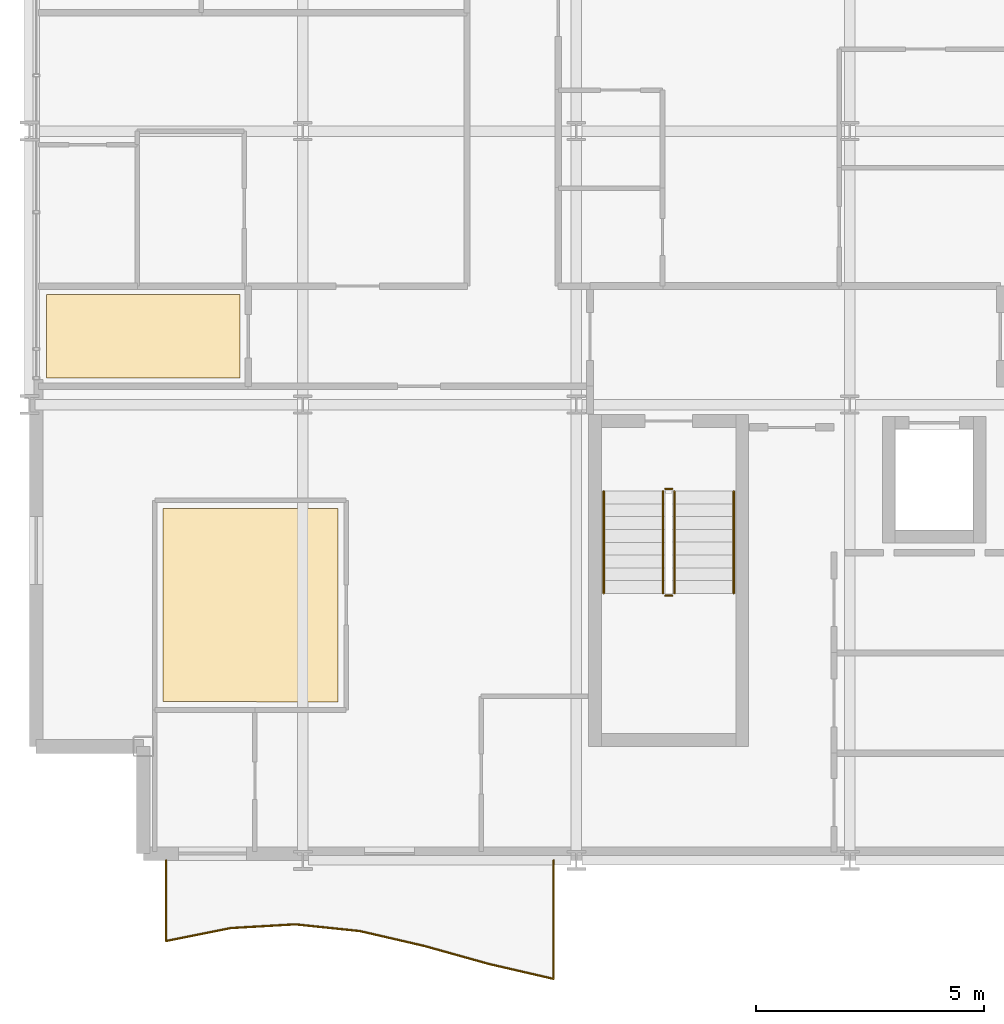
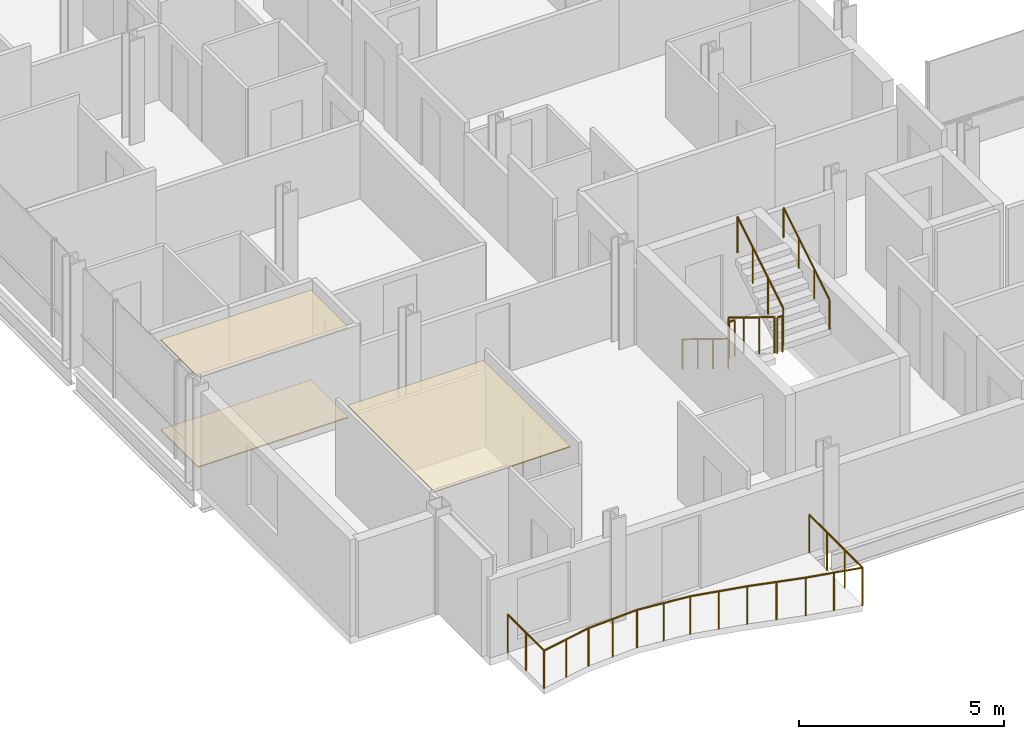
# One storey, part 38 of 41: 7 railings, 3 coverings.
"""IFC4 building model written with IfcOpenShell, lengths in metres."""

from ifc_helpers import new_model, si_unit, direction, frame, origin, origin_2d, place, context, subcontext, project, spatial, polyline, circle, outline, extrude, material, layer, layer_set, type_object, element, save


model = new_model("IFC4")

# Units and contexts
model_context = context("Model", 3, precision=1e-05, world=origin(), true_north=direction((0.0, 1.0)))
body_context = subcontext(model_context, "Body", "Model", "MODEL_VIEW")
ifc_project = project(units=[si_unit("LENGTHUNIT", "METRE"), si_unit("AREAUNIT", "SQUARE_METRE"), si_unit("VOLUMEUNIT", "CUBIC_METRE"), si_unit("PLANEANGLEUNIT", "RADIAN"), si_unit("MASSUNIT", "GRAM", prefix="KILO")], contexts=[model_context])

# Site, building, storey
site_placement = place(None, origin())
site = spatial("IfcSite", under=ifc_project, at=site_placement, CompositionType="ELEMENT")
building_placement = place(site_placement, origin())
building = spatial("IfcBuilding", under=site, at=building_placement, Name="Brevholm Reach", CompositionType="ELEMENT")
storey_placement = place(building_placement, frame((0.0, 0.0, 106.60009765625)))
storey = spatial("IfcBuildingStorey", under=building, at=storey_placement, Name="L31", CompositionType="ELEMENT", Elevation=106.60009765625)

# Coverings
ifc_material_1 = material(Name="Moisture-Resistant Skimmed Gypsum Plasterboard Ceiling", Category="gypsum")
ifc_layer_1 = layer(ifc_material_1, 0.030029296875)
ifc_layer_set_1 = layer_set([ifc_layer_1], Name="Moisture-Resistant Skimmed Gypsum Plasterboard Ceiling")
covering_type_1 = type_object("IfcCoveringType", Name="COV-CLG-GYP", PredefinedType="CEILING", material=ifc_layer_set_1)
covering_1_placement = place(storey_placement, frame((0.0, 0.0, 2.679931640625)))
element("IfcCovering", 1, at=covering_1_placement, inside=storey, type_object=covering_type_1, Name="L31 Suspended Ceiling L31-30", PredefinedType="CEILING", context=body_context, shape_type="SweptSolid", body=[
    extrude(outline(polyline([(2.929931640625, 7.719970703125), (6.77001953125, 7.719970703125), (6.77001953125, 3.47998046875), (4.984375, 3.47998046875), (4.982177734375, 3.48046875), (4.964599609375, 3.483154296875), (4.947021484375, 3.48388671875), (2.929931640625, 3.48388671875), (2.929931640625, 7.719970703125)])), origin(), (0.0, 0.0, 1.0), 0.030029296875),
])
covering_2_placement = place(storey_placement, frame((0.0, 0.0, 2.679931640625)))
element("IfcCovering", 2, at=covering_2_placement, inside=storey, type_object=covering_type_1, Name="L31 Suspended Ceiling L31-32", PredefinedType="CEILING", context=body_context, shape_type="SweptSolid", body=[
    extrude(outline(polyline([(0.3798828125, 12.419921875), (4.615966796875, 12.419921875), (4.615966796875, 10.583984375), (0.3798828125, 10.583984375), (0.3798828125, 12.419921875)])), origin(), (0.0, 0.0, 1.0), 0.030029296875),
])
ifc_material_2 = material(Name="Honed Portland-Aggregate Resin Terrazzo Flooring", Category="concrete")
ifc_layer_2 = layer(ifc_material_2, 0.031982421875)
ifc_layer_set_2 = layer_set([ifc_layer_2], Name="Honed Portland-Aggregate Resin Terrazzo Flooring")
covering_type_2 = type_object("IfcCoveringType", Name="COV-FLR-TRZ", PredefinedType="FLOORING", material=ifc_layer_set_2)
covering_3_placement = place(storey_placement, origin())
element("IfcCovering", 3, at=covering_3_placement, inside=storey, type_object=covering_type_2, Name="L31 Floor Finish L31-32", PredefinedType="FLOORING", context=body_context, shape_type="SweptSolid", body=[
    extrude(outline(polyline([(0.3798828125, 12.419921875), (4.615966796875, 12.419921875), (4.615966796875, 10.583984375), (0.3798828125, 10.583984375), (0.3798828125, 12.419921875)])), origin(), (0.0, 0.0, 1.0), 0.031982421875),
])

# Railings
ifc_material_3 = material(Name="Brushed Stainless Steel EN 1.4401 and Laminated Glass", Category="steel")
railing_type_1 = type_object("IfcRailingType", Name="RAL-BALC-1150", PredefinedType="BALUSTRADE", material=ifc_material_3)
railing_1_placement = place(storey_placement, frame((3.0, 0.0, 0.0)))
element("IfcRailing", 4, at=railing_1_placement, inside=storey, type_object=railing_type_1, Name="L31 Guard Balustrade RAL-L31-BAL-SW", PredefinedType="BALUSTRADE", context=body_context, shape_type="SweptSolid", body=[
    extrude(circle(Radius=0.02392578125, at=origin_2d()), frame((0.0, 0.0, 1.1259765625), z_axis=(0.0, -1.0, 0.0), x_axis=(1.0, 0.0, 0.0)), (0.0, 0.0, 1.0), 1.7685546875),
    extrude(circle(Radius=0.02392578125, at=origin_2d()), frame((0.0, -1.7685546875, 1.1259765625), z_axis=(0.980502614423, 0.196506038355, 0.0), x_axis=(-0.196506038355, 0.980502614423, 0.0)), (0.0, 0.0, 1.0), 1.44482421875),
    extrude(circle(Radius=0.02392578125, at=origin_2d()), frame((1.416748046875, -1.484619140625, 1.1259765625), z_axis=(0.998327360231, 0.057814200799, 0.0), x_axis=(-0.057814200799, 0.998327360231, 0.0)), (0.0, 0.0, 1.0), 1.4189453125),
    extrude(circle(Radius=0.02392578125, at=origin_2d()), frame((2.833251953125, -1.402587890625, 1.1259765625), z_axis=(0.994609205974, -0.103694394212, 0.0), x_axis=(0.103694394212, 0.994609205974, 0.0)), (0.0, 0.0, 1.0), 1.42431640625),
    extrude(circle(Radius=0.02392578125, at=origin_2d()), frame((4.25, -1.55029296875, 1.1259765625), z_axis=(0.974323236677, -0.225153792932, 0.0), x_axis=(0.225153792932, 0.974323236677, 0.0)), (0.0, 0.0, 1.0), 1.4541015625),
    extrude(circle(Radius=0.02392578125, at=origin_2d()), frame((5.666748046875, -1.877685546875, 1.1259765625), z_axis=(0.963289212232, -0.268465814578, 0.0), x_axis=(0.268465814578, 0.963289212232, 0.0)), (0.0, 0.0, 1.0), 1.470458984375),
    extrude(circle(Radius=0.02392578125, at=origin_2d()), frame((7.083251953125, -2.2724609375, 1.1259765625), z_axis=(0.974360057668, -0.224994395533, 0.0), x_axis=(0.224994395533, 0.974360057668, 0.0)), (0.0, 0.0, 1.0), 1.4541015625),
    extrude(circle(Radius=0.02392578125, at=origin_2d()), frame((8.5, -2.599609375, 1.1259765625), z_axis=(0.0, 1.0, 0.0), x_axis=(-1.0, 0.0, 0.0)), (0.0, 0.0, 1.0), 2.599609375),
    extrude(circle(Radius=0.02099609375, at=origin_2d()), origin(), (0.0, 0.0, 1.0), 1.101806640625),
    extrude(circle(Radius=0.02099609375, at=origin_2d()), frame((0.0, -0.88427734375, 0.0)), (0.0, 0.0, 1.0), 1.101806640625),
    extrude(circle(Radius=0.02099609375, at=origin_2d()), frame((0.0, -1.7685546875, 0.0)), (0.0, 0.0, 1.0), 1.101806640625),
    extrude(circle(Radius=0.02099609375, at=origin_2d()), frame((0.70849609375, -1.62646484375, 0.0)), (0.0, 0.0, 1.0), 1.101806640625),
    extrude(circle(Radius=0.02099609375, at=origin_2d()), frame((1.416748046875, -1.484619140625, 0.0)), (0.0, 0.0, 1.0), 1.101806640625),
    extrude(circle(Radius=0.02099609375, at=origin_2d()), frame((2.125, -1.443603515625, 0.0)), (0.0, 0.0, 1.0), 1.101806640625),
    extrude(circle(Radius=0.02099609375, at=origin_2d()), frame((2.833251953125, -1.402587890625, 0.0)), (0.0, 0.0, 1.0), 1.101806640625),
    extrude(circle(Radius=0.02099609375, at=origin_2d()), frame((3.54150390625, -1.4765625, 0.0)), (0.0, 0.0, 1.0), 1.101806640625),
    extrude(circle(Radius=0.02099609375, at=origin_2d()), frame((4.25, -1.55029296875, 0.0)), (0.0, 0.0, 1.0), 1.101806640625),
    extrude(circle(Radius=0.02099609375, at=origin_2d()), frame((4.95849609375, -1.7138671875, 0.0)), (0.0, 0.0, 1.0), 1.101806640625),
    extrude(circle(Radius=0.02099609375, at=origin_2d()), frame((5.666748046875, -1.877685546875, 0.0)), (0.0, 0.0, 1.0), 1.101806640625),
    extrude(circle(Radius=0.02099609375, at=origin_2d()), frame((6.375, -2.0751953125, 0.0)), (0.0, 0.0, 1.0), 1.101806640625),
    extrude(circle(Radius=0.02099609375, at=origin_2d()), frame((7.083251953125, -2.2724609375, 0.0)), (0.0, 0.0, 1.0), 1.101806640625),
    extrude(circle(Radius=0.02099609375, at=origin_2d()), frame((7.79150390625, -2.43603515625, 0.0)), (0.0, 0.0, 1.0), 1.101806640625),
    extrude(circle(Radius=0.02099609375, at=origin_2d()), frame((8.5, -2.599609375, 0.0)), (0.0, 0.0, 1.0), 1.101806640625),
    extrude(circle(Radius=0.02099609375, at=origin_2d()), frame((8.5, -1.733154296875, 0.0)), (0.0, 0.0, 1.0), 1.101806640625),
    extrude(circle(Radius=0.02099609375, at=origin_2d()), frame((8.5, -0.866455078125, 0.0)), (0.0, 0.0, 1.0), 1.101806640625),
    extrude(circle(Radius=0.02099609375, at=origin_2d()), frame((8.5, 0.0, 0.0)), (0.0, 0.0, 1.0), 1.101806640625),
])
ifc_material_4 = material(Name="Brushed Stainless Steel EN 1.4401 Continuous Handrail", Category="steel")
railing_type_2 = type_object("IfcRailingType", Name="RAL-HND-950", PredefinedType="HANDRAIL", material=ifc_material_4)
railing_2_placement = place(storey_placement, frame((12.60009765625, 8.10009765625, 0.172119140625)))
element("IfcRailing", 5, at=railing_2_placement, inside=storey, type_object=railing_type_2, Name="L31 ST-1 stair handrail 1", PredefinedType="HANDRAIL", context=body_context, shape_type="SweptSolid", body=[
    extrude(circle(Radius=0.02392578125, at=origin_2d()), frame((0.0, 0.0, 0.8857421875), z_axis=(0.0, -0.85178898068, 0.523885037382), x_axis=(1.0, 0.0, 0.0)), (0.0, 0.0, 1.0), 2.629638671875),
    extrude(circle(Radius=0.02099609375, at=origin_2d()), origin(), (0.0, 0.0, 1.0), 0.86181640625),
    extrude(circle(Radius=0.02099609375, at=origin_2d()), frame((0.0, -0.74658203125, 0.459228515625)), (0.0, 0.0, 1.0), 0.86181640625),
    extrude(circle(Radius=0.02099609375, at=origin_2d()), frame((0.0, -1.493408203125, 0.91845703125)), (0.0, 0.0, 1.0), 0.86181640625),
    extrude(circle(Radius=0.02099609375, at=origin_2d()), frame((0.0, -2.239990234375, 1.377685546875)), (0.0, 0.0, 1.0), 0.86181640625),
])
railing_3_placement = place(storey_placement, frame((15.449951171875, 5.860107421875, 1.72216796875)))
element("IfcRailing", 6, at=railing_3_placement, inside=storey, type_object=railing_type_2, Name="L31 ST-1 stair handrail 2", PredefinedType="HANDRAIL", context=body_context, shape_type="SweptSolid", body=[
    extrude(circle(Radius=0.02392578125, at=origin_2d()), frame((0.0, 0.0, 0.8857421875), z_axis=(0.0, 0.85178898068, 0.523885037382), x_axis=(-1.0, 0.0, 0.0)), (0.0, 0.0, 1.0), 2.629638671875),
    extrude(circle(Radius=0.02099609375, at=origin_2d()), origin(), (0.0, 0.0, 1.0), 0.86181640625),
    extrude(circle(Radius=0.02099609375, at=origin_2d()), frame((0.0, 0.74658203125, 0.459228515625)), (0.0, 0.0, 1.0), 0.86181640625),
    extrude(circle(Radius=0.02099609375, at=origin_2d()), frame((0.0, 1.493408203125, 0.91845703125)), (0.0, 0.0, 1.0), 0.86181640625),
    extrude(circle(Radius=0.02099609375, at=origin_2d()), frame((0.0, 2.239990234375, 1.377685546875)), (0.0, 0.0, 1.0), 0.86181640625),
])
ifc_material_5 = material(Name="Painted Tubular Galvanised Steel S275JR Stair Guard", Category="steel")
railing_type_3 = type_object("IfcRailingType", Name="RAL-STG-1120", PredefinedType="BALUSTRADE", material=ifc_material_5)
railing_4_placement = place(storey_placement, frame((13.89990234375, 8.10009765625, 0.172119140625)))
element("IfcRailing", 7, at=railing_4_placement, inside=storey, type_object=railing_type_3, Name="L31 ST-1 stair guard 1", PredefinedType="BALUSTRADE", context=body_context, shape_type="SweptSolid", body=[
    extrude(circle(Radius=0.02392578125, at=origin_2d()), frame((0.0, 0.0, 1.076171875), z_axis=(0.0, -0.85178898068, 0.523885037382), x_axis=(1.0, 0.0, 0.0)), (0.0, 0.0, 1.0), 2.629638671875),
    extrude(circle(Radius=0.02099609375, at=origin_2d()), origin(), (0.0, 0.0, 1.0), 1.052001953125),
    extrude(circle(Radius=0.02099609375, at=origin_2d()), frame((0.0, -0.74658203125, 0.459228515625)), (0.0, 0.0, 1.0), 1.052001953125),
    extrude(circle(Radius=0.02099609375, at=origin_2d()), frame((0.0, -1.493408203125, 0.91845703125)), (0.0, 0.0, 1.0), 1.052001953125),
    extrude(circle(Radius=0.02099609375, at=origin_2d()), frame((0.0, -2.239990234375, 1.377685546875)), (0.0, 0.0, 1.0), 1.052001953125),
])
railing_5_placement = place(storey_placement, frame((13.949951171875, 5.81005859375, 1.5498046875)))
element("IfcRailing", 8, at=railing_5_placement, inside=storey, type_object=railing_type_3, Name="L31 ST-1 stair guard 2", PredefinedType="BALUSTRADE", context=body_context, shape_type="SweptSolid", body=[
    extrude(circle(Radius=0.02392578125, at=origin_2d()), frame((0.0, 0.0, 1.076171875), z_axis=(1.0, 0.0, 0.0), x_axis=(0.0, 1.0, 0.0)), (0.0, 0.0, 1.0), 0.150146484375),
    extrude(circle(Radius=0.02099609375, at=origin_2d()), origin(), (0.0, 0.0, 1.0), 1.052001953125),
    extrude(circle(Radius=0.02099609375, at=origin_2d()), frame((0.150146484375, 0.0, 0.0)), (0.0, 0.0, 1.0), 1.052001953125),
])
railing_6_placement = place(storey_placement, frame((14.14990234375, 5.860107421875, 1.72216796875)))
element("IfcRailing", 9, at=railing_6_placement, inside=storey, type_object=railing_type_3, Name="L31 ST-1 stair guard 3", PredefinedType="BALUSTRADE", context=body_context, shape_type="SweptSolid", body=[
    extrude(circle(Radius=0.02392578125, at=origin_2d()), frame((0.0, 0.0, 1.076171875), z_axis=(0.0, 0.85178898068, 0.523885037382), x_axis=(-1.0, 0.0, 0.0)), (0.0, 0.0, 1.0), 2.629638671875),
    extrude(circle(Radius=0.02099609375, at=origin_2d()), origin(), (0.0, 0.0, 1.0), 1.052001953125),
    extrude(circle(Radius=0.02099609375, at=origin_2d()), frame((0.0, 0.74658203125, 0.459228515625)), (0.0, 0.0, 1.0), 1.052001953125),
    extrude(circle(Radius=0.02099609375, at=origin_2d()), frame((0.0, 1.493408203125, 0.91845703125)), (0.0, 0.0, 1.0), 1.052001953125),
    extrude(circle(Radius=0.02099609375, at=origin_2d()), frame((0.0, 2.239990234375, 1.377685546875)), (0.0, 0.0, 1.0), 1.052001953125),
])
railing_7_placement = place(storey_placement, frame((13.949951171875, 8.14990234375, 0.0)))
element("IfcRailing", 10, at=railing_7_placement, inside=storey, type_object=railing_type_3, Name="L31 ST-1 stair guard 4", PredefinedType="BALUSTRADE", context=body_context, shape_type="SweptSolid", body=[
    extrude(circle(Radius=0.02392578125, at=origin_2d()), frame((0.0, 0.0, 1.076171875), z_axis=(1.0, 0.0, 0.0), x_axis=(0.0, 1.0, 0.0)), (0.0, 0.0, 1.0), 0.150146484375),
    extrude(circle(Radius=0.02099609375, at=origin_2d()), origin(), (0.0, 0.0, 1.0), 1.052001953125),
    extrude(circle(Radius=0.02099609375, at=origin_2d()), frame((0.150146484375, 0.0, 0.0)), (0.0, 0.0, 1.0), 1.052001953125),
])

save(model, "model.ifc")
